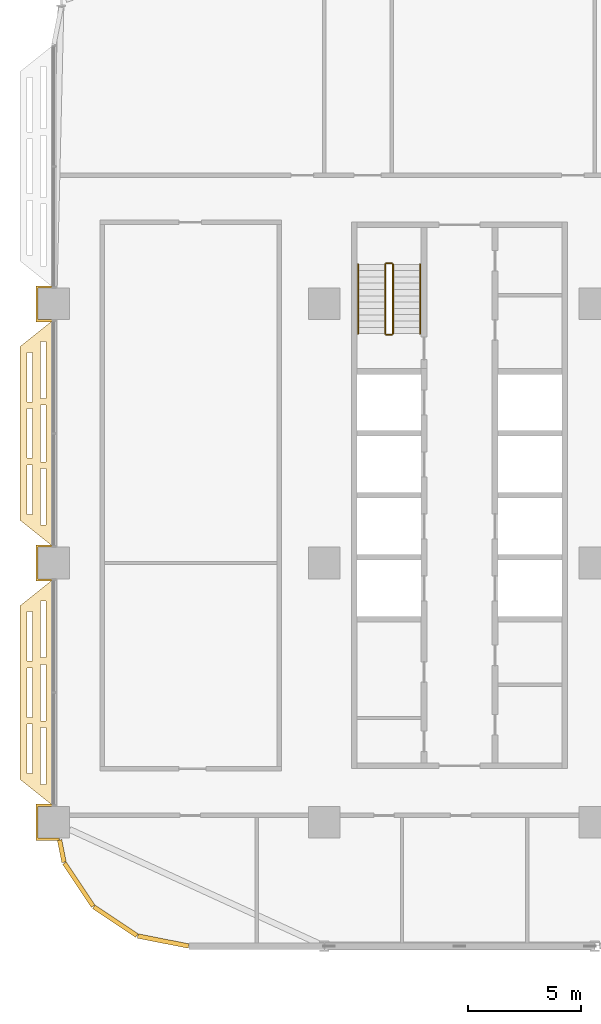
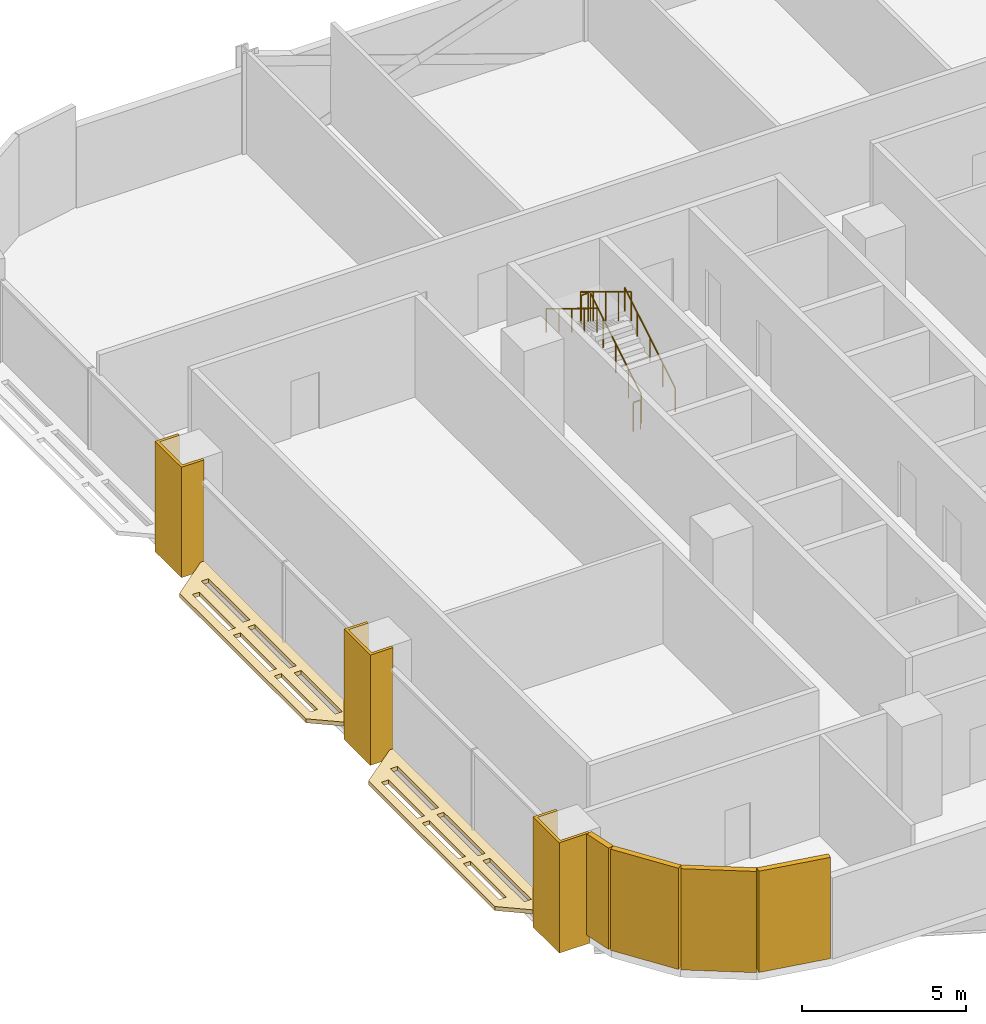
# One storey, part 23 of 29: 9 coverings, 6 railings.
"""IFC4 building model written with IfcOpenShell, lengths in metres."""

from ifc_helpers import new_model, si_unit, direction, frame, origin, origin_2d, place, context, subcontext, project, spatial, polyline, rectangle, circle, outline, extrude, material, layer, layer_set, type_object, element, save


model = new_model("IFC4")

# Units and contexts
model_context = context("Model", 3, precision=1e-05, world=origin(), true_north=direction((0.0, 1.0)))
body_context = subcontext(model_context, "Body", "Model", "MODEL_VIEW")
ifc_project = project(units=[si_unit("LENGTHUNIT", "METRE"), si_unit("AREAUNIT", "SQUARE_METRE"), si_unit("VOLUMEUNIT", "CUBIC_METRE"), si_unit("PLANEANGLEUNIT", "RADIAN"), si_unit("MASSUNIT", "GRAM", prefix="KILO")], contexts=[model_context])

# Site, building, storey
site_placement = place(None, origin())
site = spatial("IfcSite", under=ifc_project, at=site_placement, CompositionType="ELEMENT")
building_placement = place(site_placement, origin())
building = spatial("IfcBuilding", under=site, at=building_placement, Name="Mahtab Terrace Research Tower", CompositionType="ELEMENT")
storey_placement = place(building_placement, frame((0.0, 0.0, 93.0)))
storey = spatial("IfcBuildingStorey", under=building, at=storey_placement, Name="L21", CompositionType="ELEMENT", Elevation=93.0)

# Coverings
ifc_material_1 = material(Name="Black aluminium cladding panel", Category="aluminium")
ifc_layer_1 = layer(ifc_material_1, 0.199951171875)
ifc_layer_set_1 = layer_set([ifc_layer_1], Name="Black metal corner cladding 200")
covering_type_1 = type_object("IfcCoveringType", Name="Black metal corner cladding 200", PredefinedType="CLADDING", material=ifc_layer_set_1)
covering_1_placement = place(storey_placement, frame((-41.645263671875, -12.782470703125, 0.0), z_axis=(0.0, 0.0, 1.0), x_axis=(0.195212442692, -0.980760981187, 0.0)))
element("IfcCovering", 1, at=covering_1_placement, inside=storey, type_object=covering_type_1, Name="Corner cladding L21 19", PredefinedType="CLADDING", context=body_context, shape_type="SweptSolid", body=[
    extrude(rectangle(XDim=1.007568359375, YDim=0.199951171875, at=origin_2d()), origin(), (0.0, 0.0, 1.0), 3.760009765625),
])
for number, where, z_axis, x_axis, name in (
    (2, (-40.89306640625, -14.26953125, 0.0), (0.0, 0.0, 1.0), (0.555291490808, -0.831655794326, 0.0), "Corner cladding L21 20"),
    (3, (-39.26953125, -15.89306640625, 0.0), (0.0, 0.0, 1.0), (0.831655794326, -0.555291490808, 0.0), "Corner cladding L21 21"),
    (4, (-37.14794921875, -16.771484375, 0.0), (0.0, 0.0, 1.0), (0.980760981187, -0.195212442692, 0.0), "Corner cladding L21 22"),
):
    element("IfcCovering", number, at=place(storey_placement, frame(where, z_axis=z_axis, x_axis=x_axis)), inside=storey, type_object=covering_type_1, Name=name, PredefinedType="CLADDING", context=body_context, shape_type="SweptSolid", body=[
        extrude(rectangle(XDim=2.30126953125, YDim=0.199951171875, at=origin_2d()), origin(), (0.0, 0.0, 1.0), 3.760009765625),
    ])
ifc_material_2 = material(Name="Dark anodised aluminium cladding", Category="aluminium")
ifc_layer_2 = layer(ifc_material_2, 0.10009765625)
ifc_layer_set_2 = layer_set([ifc_layer_2], Name="Column casing 100")
covering_type_2 = type_object("IfcCoveringType", Name="Column casing 100", PredefinedType="CLADDING", material=ifc_layer_set_2)
covering_2_placement = place(storey_placement, frame((0.0, 0.0, -0.340087890625)))
element("IfcCovering", 5, at=covering_2_placement, inside=storey, type_object=covering_type_2, Name="Column casing RC-1A L21", PredefinedType="CLADDING", context=body_context, shape_type="SweptSolid", body=[
    extrude(outline(polyline([(-42.800048828125, -10.699951171875), (-42.0, -10.699951171875), (-42.0, -10.800048828125), (-42.699951171875, -10.800048828125), (-42.699951171875, -12.199951171875), (-41.760986328125, -12.199951171875), (-41.740966796875, -12.300048828125), (-42.800048828125, -12.300048828125), (-42.800048828125, -10.699951171875)])), origin(), (0.0, 0.0, 1.0), 4.10009765625),
])
covering_3_placement = place(storey_placement, frame((0.0, 0.0, -0.340087890625)))
element("IfcCovering", 6, at=covering_3_placement, inside=storey, type_object=covering_type_2, Name="Column casing RC-1B L21", PredefinedType="CLADDING", context=body_context, shape_type="SweptSolid", body=[
    extrude(outline(polyline([(-42.800048828125, 0.800048828125), (-42.0, 0.800048828125), (-42.0, 0.699951171875), (-42.699951171875, 0.699951171875), (-42.699951171875, -0.699951171875), (-42.0, -0.699951171875), (-42.0, -0.800048828125), (-42.800048828125, -0.800048828125), (-42.800048828125, 0.800048828125)])), origin(), (0.0, 0.0, 1.0), 4.10009765625),
])
covering_4_placement = place(storey_placement, frame((0.0, 0.0, -0.340087890625)))
element("IfcCovering", 7, at=covering_4_placement, inside=storey, type_object=covering_type_2, Name="Column casing RC-1C L21", PredefinedType="CLADDING", context=body_context, shape_type="SweptSolid", body=[
    extrude(outline(polyline([(-42.800048828125, 12.300048828125), (-42.0, 12.300048828125), (-42.0, 12.199951171875), (-42.699951171875, 12.199951171875), (-42.699951171875, 10.800048828125), (-42.0, 10.800048828125), (-42.0, 10.699951171875), (-42.800048828125, 10.699951171875), (-42.800048828125, 12.300048828125)])), origin(), (0.0, 0.0, 1.0), 4.10009765625),
])
ifc_material_3 = material(Name="Black anodised aluminium", Category="aluminium")
ifc_layer_3 = layer(ifc_material_3, 0.14990234375)
ifc_layer_set_3 = layer_set([ifc_layer_3], Name="Horizontal sunshade band")
covering_type_3 = type_object("IfcCoveringType", Name="Horizontal sunshade band", PredefinedType="CLADDING", material=ifc_layer_set_3)
covering_5_placement = place(storey_placement, frame((0.0, 0.0, -0.14990234375)))
element("IfcCovering", 8, at=covering_5_placement, inside=storey, type_object=covering_type_3, Name="Sunshade band L21 17", PredefinedType="CLADDING", context=body_context, shape_type="SweptSolid", body=[
    extrude(outline(polyline([(-42.0, 10.800048828125), (-42.0, 0.699951171875), (-43.5, 1.89990234375), (-43.5, 9.60009765625), (-42.0, 10.800048828125)]), holes=[polyline([(-42.35009765625, 9.820068359375), (-42.35009765625, 7.306884765625), (-42.60009765625, 7.306884765625), (-42.60009765625, 9.820068359375), (-42.35009765625, 9.820068359375)]), polyline([(-42.35009765625, 7.007080078125), (-42.35009765625, 4.492919921875), (-42.60009765625, 4.492919921875), (-42.60009765625, 7.007080078125), (-42.35009765625, 7.007080078125)]), polyline([(-42.35009765625, 4.193115234375), (-42.35009765625, 1.679931640625), (-42.60009765625, 1.679931640625), (-42.60009765625, 4.193115234375), (-42.35009765625, 4.193115234375)]), polyline([(-42.949951171875, 9.340087890625), (-42.949951171875, 7.14697265625), (-43.199951171875, 7.14697265625), (-43.199951171875, 9.340087890625), (-42.949951171875, 9.340087890625)]), polyline([(-42.949951171875, 6.846923828125), (-42.949951171875, 4.653076171875), (-43.199951171875, 4.653076171875), (-43.199951171875, 6.846923828125), (-42.949951171875, 6.846923828125)]), polyline([(-42.949951171875, 4.35302734375), (-42.949951171875, 2.159912109375), (-43.199951171875, 2.159912109375), (-43.199951171875, 4.35302734375), (-42.949951171875, 4.35302734375)])]), origin(), (0.0, 0.0, 1.0), 0.14990234375),
])
covering_6_placement = place(storey_placement, frame((0.0, 0.0, -0.14990234375)))
element("IfcCovering", 9, at=covering_6_placement, inside=storey, type_object=covering_type_3, Name="Sunshade band L21 18", PredefinedType="CLADDING", context=body_context, shape_type="SweptSolid", body=[
    extrude(outline(polyline([(-42.0, -0.699951171875), (-42.0, -10.800048828125), (-43.5, -9.60009765625), (-43.5, -1.89990234375), (-42.0, -0.699951171875)]), holes=[polyline([(-42.35009765625, -1.679931640625), (-42.35009765625, -4.193115234375), (-42.60009765625, -4.193115234375), (-42.60009765625, -1.679931640625), (-42.35009765625, -1.679931640625)]), polyline([(-42.35009765625, -4.492919921875), (-42.35009765625, -7.007080078125), (-42.60009765625, -7.007080078125), (-42.60009765625, -4.492919921875), (-42.35009765625, -4.492919921875)]), polyline([(-42.35009765625, -7.306884765625), (-42.35009765625, -9.820068359375), (-42.60009765625, -9.820068359375), (-42.60009765625, -7.306884765625), (-42.35009765625, -7.306884765625)]), polyline([(-42.949951171875, -2.159912109375), (-42.949951171875, -4.35302734375), (-43.199951171875, -4.35302734375), (-43.199951171875, -2.159912109375), (-42.949951171875, -2.159912109375)]), polyline([(-42.949951171875, -4.653076171875), (-42.949951171875, -6.846923828125), (-43.199951171875, -6.846923828125), (-43.199951171875, -4.653076171875), (-42.949951171875, -4.653076171875)]), polyline([(-42.949951171875, -7.14697265625), (-42.949951171875, -9.340087890625), (-43.199951171875, -9.340087890625), (-43.199951171875, -7.14697265625), (-42.949951171875, -7.14697265625)])]), origin(), (0.0, 0.0, 1.0), 0.14990234375),
])

# Railings
ifc_material_4 = material(Name="Stainless steel AISI 304", Category="steel")
railing_type_1 = type_object("IfcRailingType", Name="Stair guard 1100", PredefinedType="GUARDRAIL", material=ifc_material_4)
railing_1_placement = place(storey_placement, frame((-26.949951171875, 10.175048828125, 0.1708984375)))
element("IfcRailing", 10, at=railing_1_placement, inside=storey, type_object=railing_type_1, Name="L21 ST1 stair guard 1", PredefinedType="GUARDRAIL", context=body_context, shape_type="SweptSolid", body=[
    extrude(circle(Radius=0.02392578125, at=origin_2d()), frame((0.0, 0.0, 1.076171875), z_axis=(0.0, 0.853647949592, 0.520850437417), x_axis=(-1.0, 0.0, 0.0)), (0.0, 0.0, 1.0), 3.60791015625),
    extrude(circle(Radius=0.02099609375, at=origin_2d()), origin(), (0.0, 0.0, 1.0), 1.052001953125),
    extrude(circle(Radius=0.02099609375, at=origin_2d()), frame((0.0, 0.77001953125, 0.4697265625)), (0.0, 0.0, 1.0), 1.052001953125),
    extrude(circle(Radius=0.02099609375, at=origin_2d()), frame((0.0, 1.5400390625, 0.939453125)), (0.0, 0.0, 1.0), 1.052001953125),
    extrude(circle(Radius=0.02099609375, at=origin_2d()), frame((0.0, 2.309814453125, 1.409423828125)), (0.0, 0.0, 1.0), 1.052001953125),
    extrude(circle(Radius=0.02099609375, at=origin_2d()), frame((0.0, 3.079833984375, 1.879150390625)), (0.0, 0.0, 1.0), 1.052001953125),
])
railing_2_placement = place(storey_placement, frame((-27.0, 13.304931640625, 2.050048828125)))
element("IfcRailing", 11, at=railing_2_placement, inside=storey, type_object=railing_type_1, Name="L21 ST1 stair guard 2", PredefinedType="GUARDRAIL", context=body_context, shape_type="SweptSolid", body=[
    extrude(circle(Radius=0.02392578125, at=origin_2d()), frame((0.0, 0.0, 1.076171875), z_axis=(-1.0, 0.0, 0.0), x_axis=(0.0, -1.0, 0.0)), (0.0, 0.0, 1.0), 0.25),
    extrude(circle(Radius=0.02099609375, at=origin_2d()), origin(), (0.0, 0.0, 1.0), 1.052001953125),
    extrude(circle(Radius=0.02099609375, at=origin_2d()), frame((-0.25, 0.0, 0.0)), (0.0, 0.0, 1.0), 1.052001953125),
])
railing_3_placement = place(storey_placement, frame((-27.300048828125, 13.2548828125, 2.220947265625)))
element("IfcRailing", 12, at=railing_3_placement, inside=storey, type_object=railing_type_1, Name="L21 ST1 stair guard 3", PredefinedType="GUARDRAIL", context=body_context, shape_type="SweptSolid", body=[
    extrude(circle(Radius=0.02392578125, at=origin_2d()), frame((0.0, 0.0, 1.076171875), z_axis=(0.0, -0.853647949592, 0.520850437417), x_axis=(1.0, 0.0, 0.0)), (0.0, 0.0, 1.0), 3.60791015625),
    extrude(circle(Radius=0.02099609375, at=origin_2d()), origin(), (0.0, 0.0, 1.0), 1.052001953125),
    extrude(circle(Radius=0.02099609375, at=origin_2d()), frame((0.0, -0.77001953125, 0.4697265625)), (0.0, 0.0, 1.0), 1.052001953125),
    extrude(circle(Radius=0.02099609375, at=origin_2d()), frame((0.0, -1.5400390625, 0.939453125)), (0.0, 0.0, 1.0), 1.052001953125),
    extrude(circle(Radius=0.02099609375, at=origin_2d()), frame((0.0, -2.309814453125, 1.409423828125)), (0.0, 0.0, 1.0), 1.052001953125),
    extrude(circle(Radius=0.02099609375, at=origin_2d()), frame((0.0, -3.079833984375, 1.879150390625)), (0.0, 0.0, 1.0), 1.052001953125),
])
railing_4_placement = place(storey_placement, frame((-27.0, 10.125, 0.0)))
element("IfcRailing", 13, at=railing_4_placement, inside=storey, type_object=railing_type_1, Name="L21 ST1 stair guard 4", PredefinedType="GUARDRAIL", context=body_context, shape_type="SweptSolid", body=[
    extrude(circle(Radius=0.02392578125, at=origin_2d()), frame((0.0, 0.0, 1.076171875), z_axis=(-1.0, 0.0, 0.0), x_axis=(0.0, -1.0, 0.0)), (0.0, 0.0, 1.0), 0.25),
    extrude(circle(Radius=0.02099609375, at=origin_2d()), origin(), (0.0, 0.0, 1.0), 1.052001953125),
    extrude(circle(Radius=0.02099609375, at=origin_2d()), frame((-0.25, 0.0, 0.0)), (0.0, 0.0, 1.0), 1.052001953125),
])
railing_type_2 = type_object("IfcRailingType", Name="Stair handrail 900", PredefinedType="HANDRAIL", material=ifc_material_4)
railing_5_placement = place(storey_placement, frame((-25.75, 10.175048828125, 0.1708984375)))
element("IfcRailing", 14, at=railing_5_placement, inside=storey, type_object=railing_type_2, Name="L21 ST1 stair handrail 1", PredefinedType="HANDRAIL", context=body_context, shape_type="SweptSolid", body=[
    extrude(circle(Radius=0.02392578125, at=origin_2d()), frame((0.0, 0.0, 0.8759765625), z_axis=(0.0, 0.853647949592, 0.520850437417), x_axis=(-1.0, 0.0, 0.0)), (0.0, 0.0, 1.0), 3.60791015625),
    extrude(circle(Radius=0.02099609375, at=origin_2d()), origin(), (0.0, 0.0, 1.0), 0.851806640625),
    extrude(circle(Radius=0.02099609375, at=origin_2d()), frame((0.0, 0.77001953125, 0.4697265625)), (0.0, 0.0, 1.0), 0.851806640625),
    extrude(circle(Radius=0.02099609375, at=origin_2d()), frame((0.0, 1.5400390625, 0.939453125)), (0.0, 0.0, 1.0), 0.851806640625),
    extrude(circle(Radius=0.02099609375, at=origin_2d()), frame((0.0, 2.309814453125, 1.409423828125)), (0.0, 0.0, 1.0), 0.851806640625),
    extrude(circle(Radius=0.02099609375, at=origin_2d()), frame((0.0, 3.079833984375, 1.879150390625)), (0.0, 0.0, 1.0), 0.851806640625),
])
railing_6_placement = place(storey_placement, frame((-28.5, 13.2548828125, 2.220947265625)))
element("IfcRailing", 15, at=railing_6_placement, inside=storey, type_object=railing_type_2, Name="L21 ST1 stair handrail 2", PredefinedType="HANDRAIL", context=body_context, shape_type="SweptSolid", body=[
    extrude(circle(Radius=0.02392578125, at=origin_2d()), frame((0.0, 0.0, 0.8759765625), z_axis=(0.0, -0.853647949592, 0.520850437417), x_axis=(1.0, 0.0, 0.0)), (0.0, 0.0, 1.0), 3.60791015625),
    extrude(circle(Radius=0.02099609375, at=origin_2d()), origin(), (0.0, 0.0, 1.0), 0.851806640625),
    extrude(circle(Radius=0.02099609375, at=origin_2d()), frame((0.0, -0.77001953125, 0.4697265625)), (0.0, 0.0, 1.0), 0.851806640625),
    extrude(circle(Radius=0.02099609375, at=origin_2d()), frame((0.0, -1.5400390625, 0.939453125)), (0.0, 0.0, 1.0), 0.851806640625),
    extrude(circle(Radius=0.02099609375, at=origin_2d()), frame((0.0, -2.309814453125, 1.409423828125)), (0.0, 0.0, 1.0), 0.851806640625),
    extrude(circle(Radius=0.02099609375, at=origin_2d()), frame((0.0, -3.079833984375, 1.879150390625)), (0.0, 0.0, 1.0), 0.851806640625),
])

save(model, "model.ifc")
